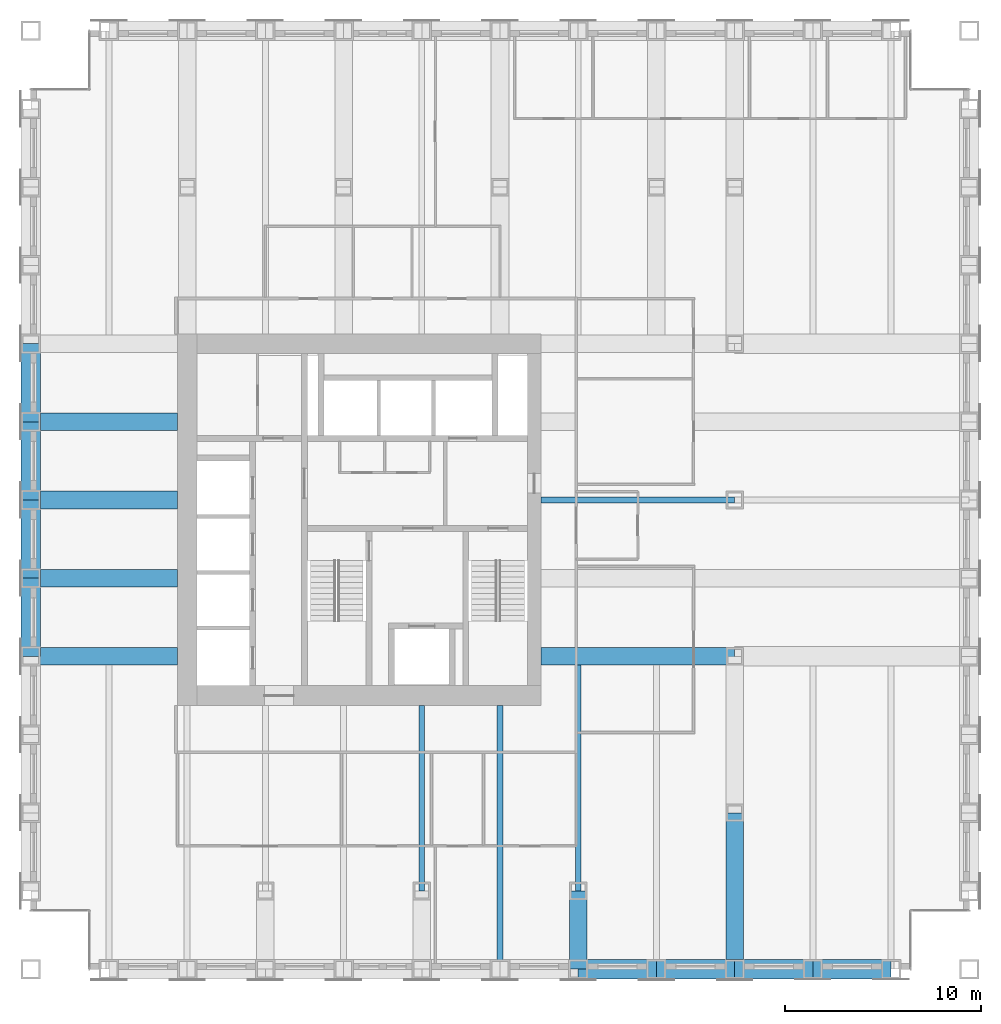
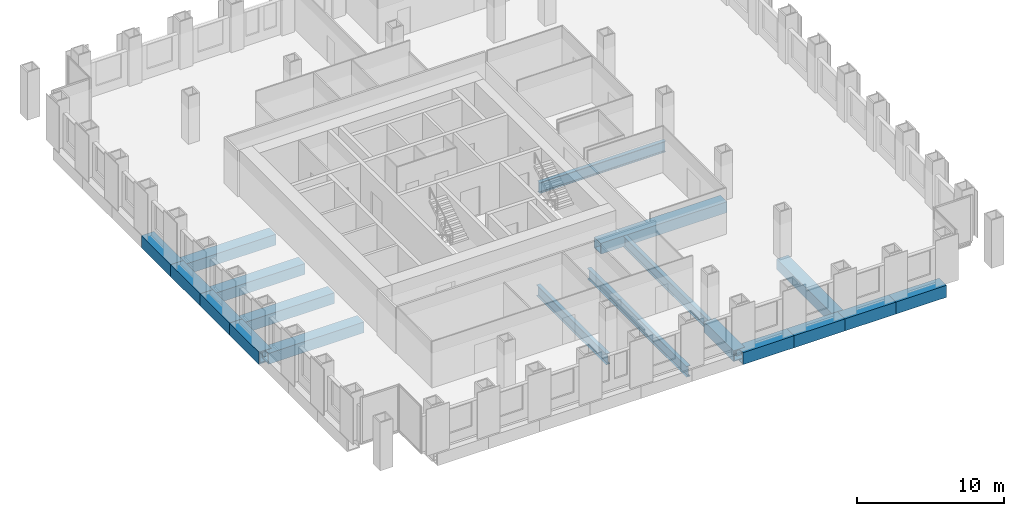
# One storey, part 3 of 15: 19 beams.
"""IFC4 building model written with IfcOpenShell, lengths in metres."""

from ifc_helpers import new_model, si_unit, direction, frame, origin, origin_2d, place, context, subcontext, project, spatial, hollow_rectangle, i_section, extrude, material, material_profile, profile_set, type_object, element, save


model = new_model("IFC4")

# Units and contexts
model_context = context("Model", 3, precision=1e-05, world=origin(), true_north=direction((0.0, 1.0)))
body_context = subcontext(model_context, "Body", "Model", "MODEL_VIEW")
ifc_project = project(units=[si_unit("LENGTHUNIT", "METRE"), si_unit("AREAUNIT", "SQUARE_METRE"), si_unit("VOLUMEUNIT", "CUBIC_METRE"), si_unit("PLANEANGLEUNIT", "RADIAN"), si_unit("MASSUNIT", "GRAM", prefix="KILO")], contexts=[model_context])

# Site, building, storey
site_placement = place(None, origin())
site = spatial("IfcSite", under=ifc_project, at=site_placement, CompositionType="ELEMENT")
building_placement = place(site_placement, origin())
building = spatial("IfcBuilding", under=site, at=building_placement, Name="Rimbunsela Tower", CompositionType="ELEMENT")
storey_placement = place(building_placement, frame((0.0, 0.0, 117.39990234375)))
storey = spatial("IfcBuildingStorey", under=building, at=storey_placement, Name="L28", CompositionType="ELEMENT", Elevation=117.39990234375)

# Beams
ifc_material_1 = material(Name="Steel BJ 55 (fy 410 MPa)", Category="steel")
ifc_material_profile_1 = material_profile(ifc_material_1, hollow_rectangle(XDim=1.0, YDim=1.0, WallThickness=0.10009765625, at=origin_2d()), Name="BOX 1000x1000x100")
ifc_profile_set_1 = profile_set([ifc_material_profile_1], Name="Steel BJ 55 (fy 410 MPa)")
beam_type_1 = type_object("IfcBeamType", Name="Beam BOX 1000x1000x100", PredefinedType="BEAM", material=ifc_profile_set_1)
for number, where, z_axis, x_axis, name in (
    (1, (10.0, 20.0, -0.64990234375), (0.0, 1.0, 0.0), (-1.0, 0.0, 0.0), "Beam B3 L28"),
    (2, (10.0, 24.0, -0.64990234375), (0.0, 1.0, 0.0), (-1.0, 0.0, 0.0), "Beam B3 L28"),
    (3, (10.0, 28.0, -0.64990234375), (0.0, 1.0, 0.0), (-1.0, 0.0, 0.0), "Beam B3 L28"),
    (4, (10.0, 32.0, -0.64990234375), (0.0, 1.0, 0.0), (-1.0, 0.0, 0.0), "Beam B3 L28"),
    (5, (38.0, 4.0, -0.64990234375), (1.0, 0.0, 0.0), (0.0, 1.0, 0.0), "Beam B3 L28"),
    (6, (42.0, 4.0, -0.64990234375), (1.0, 0.0, 0.0), (0.0, 1.0, 0.0), "Beam B3 L28"),
    (7, (46.0, 4.0, -0.64990234375), (1.0, 0.0, 0.0), (0.0, 1.0, 0.0), "Beam B3 L28"),
    (8, (50.0, 4.0, -0.64990234375), (1.0, 0.0, 0.0), (0.0, 1.0, 0.0), "Beam B3 L28"),
):
    element("IfcBeam", number, at=place(storey_placement, frame(where, z_axis=z_axis, x_axis=x_axis)), inside=storey, type_object=beam_type_1, Name=name, PredefinedType="BEAM", context=body_context, shape_type="SweptSolid", body=[
        extrude(hollow_rectangle(XDim=1.0, YDim=1.0, WallThickness=0.10009765625, at=origin_2d()), origin(), (0.0, 0.0, 1.0), 4.0),
    ])
ifc_material_2 = material(Name="Steel BJ 55 (fy 410 MPa)", Category="steel")
ifc_material_profile_2 = material_profile(ifc_material_2, hollow_rectangle(XDim=0.89990234375, YDim=0.89990234375, WallThickness=0.06005859375, at=origin_2d()), Name="BOX 900x900x60")
ifc_profile_set_2 = profile_set([ifc_material_profile_2], Name="Steel BJ 55 (fy 410 MPa)")
beam_type_2 = type_object("IfcBeamType", Name="Beam BOX 900x900x60", PredefinedType="BEAM", material=ifc_profile_set_2)
for number, where, z_axis, x_axis, name in (
    (9, (10.0, 20.0, -0.599853515625), (1.0, 0.0, 0.0), (0.0, 1.0, 0.0), "Beam B1 L28"),
    (10, (10.0, 24.0, -0.599853515625), (1.0, 0.0, 0.0), (0.0, 1.0, 0.0), "Beam B1 L28"),
    (11, (10.0, 28.0, -0.599853515625), (1.0, 0.0, 0.0), (0.0, 1.0, 0.0), "Beam B1 L28"),
    (12, (10.0, 32.0, -0.599853515625), (1.0, 0.0, 0.0), (0.0, 1.0, 0.0), "Beam B1 L28"),
):
    element("IfcBeam", number, at=place(storey_placement, frame(where, z_axis=z_axis, x_axis=x_axis)), inside=storey, type_object=beam_type_2, Name=name, PredefinedType="BEAM", context=body_context, shape_type="SweptSolid", body=[
        extrude(hollow_rectangle(XDim=0.89990234375, YDim=0.89990234375, WallThickness=0.06005859375, at=origin_2d()), origin(), (0.0, 0.0, 1.0), 7.5),
    ])
beam_1_placement = place(storey_placement, frame((36.10009765625, 20.0, -0.599853515625), z_axis=(1.0, 0.0, 0.0), x_axis=(0.0, 1.0, 0.0)))
element("IfcBeam", 13, at=beam_1_placement, inside=storey, type_object=beam_type_2, Name="Beam B1 L28", PredefinedType="BEAM", context=body_context, shape_type="SweptSolid", body=[
    extrude(hollow_rectangle(XDim=0.89990234375, YDim=0.89990234375, WallThickness=0.06005859375, at=origin_2d()), origin(), (0.0, 0.0, 1.0), 9.89990234375),
])
beam_2_placement = place(storey_placement, frame((38.0, 4.0, -0.599853515625), z_axis=(0.0, 1.0, 0.0), x_axis=(-1.0, 0.0, 0.0)))
element("IfcBeam", 14, at=beam_2_placement, inside=storey, type_object=beam_type_2, Name="Beam B1 L28", PredefinedType="BEAM", context=body_context, shape_type="SweptSolid", body=[
    extrude(hollow_rectangle(XDim=0.89990234375, YDim=0.89990234375, WallThickness=0.06005859375, at=origin_2d()), origin(), (0.0, 0.0, 1.0), 4.0),
])
beam_3_placement = place(storey_placement, frame((46.0, 4.0, -0.599853515625), z_axis=(0.0, 1.0, 0.0), x_axis=(-1.0, 0.0, 0.0)))
element("IfcBeam", 15, at=beam_3_placement, inside=storey, type_object=beam_type_2, Name="Beam B1 L28", PredefinedType="BEAM", context=body_context, shape_type="SweptSolid", body=[
    extrude(hollow_rectangle(XDim=0.89990234375, YDim=0.89990234375, WallThickness=0.06005859375, at=origin_2d()), origin(), (0.0, 0.0, 1.0), 8.0),
])
ifc_material_3 = material(Name="Steel BJ 55 (fy 410 MPa)", Category="steel")
ifc_material_profile_3 = material_profile(ifc_material_3, i_section(OverallWidth=0.300048828125, OverallDepth=0.89990234375, WebThickness=0.01611328125, FlangeThickness=0.028076171875, FilletRadius=0.028076171875, at=origin_2d()), Name="H 900x300x16x28")
ifc_profile_set_3 = profile_set([ifc_material_profile_3], Name="Steel BJ 55 (fy 410 MPa)")
beam_type_3 = type_object("IfcBeamType", Name="Beam H 900x300x16x28", PredefinedType="BEAM", material=ifc_profile_set_3)
beam_4_placement = place(storey_placement, frame((30.0, 8.0, -0.599853515625), z_axis=(0.0, 1.0, 0.0), x_axis=(-1.0, 0.0, 0.0)))
element("IfcBeam", 16, at=beam_4_placement, inside=storey, type_object=beam_type_3, Name="Beam B2 L28", PredefinedType="BEAM", context=body_context, shape_type="SweptSolid", body=[
    extrude(i_section(OverallWidth=0.300048828125, OverallDepth=0.89990234375, WebThickness=0.01611328125, FlangeThickness=0.028076171875, FilletRadius=0.028076171875, at=origin_2d()), origin(), (0.0, 0.0, 1.0), 9.5),
])
beam_5_placement = place(storey_placement, frame((34.0, 4.0, -0.599853515625), z_axis=(0.0, 1.0, 0.0), x_axis=(-1.0, 0.0, 0.0)))
element("IfcBeam", 17, at=beam_5_placement, inside=storey, type_object=beam_type_3, Name="Beam B2 L28", PredefinedType="BEAM", context=body_context, shape_type="SweptSolid", body=[
    extrude(i_section(OverallWidth=0.300048828125, OverallDepth=0.89990234375, WebThickness=0.01611328125, FlangeThickness=0.028076171875, FilletRadius=0.028076171875, at=origin_2d()), origin(), (0.0, 0.0, 1.0), 13.5),
])
beam_6_placement = place(storey_placement, frame((36.10009765625, 28.0, -0.599853515625), z_axis=(1.0, 0.0, 0.0), x_axis=(0.0, 1.0, 0.0)))
element("IfcBeam", 18, at=beam_6_placement, inside=storey, type_object=beam_type_3, Name="Beam B2 L28", PredefinedType="BEAM", context=body_context, shape_type="SweptSolid", body=[
    extrude(i_section(OverallWidth=0.300048828125, OverallDepth=0.89990234375, WebThickness=0.01611328125, FlangeThickness=0.028076171875, FilletRadius=0.028076171875, at=origin_2d()), origin(), (0.0, 0.0, 1.0), 9.89990234375),
])
beam_7_placement = place(storey_placement, frame((38.0, 8.0, -0.599853515625), z_axis=(0.0, 1.0, 0.0), x_axis=(-1.0, 0.0, 0.0)))
element("IfcBeam", 19, at=beam_7_placement, inside=storey, type_object=beam_type_3, Name="Beam B2 L28", PredefinedType="BEAM", context=body_context, shape_type="SweptSolid", body=[
    extrude(i_section(OverallWidth=0.300048828125, OverallDepth=0.89990234375, WebThickness=0.01611328125, FlangeThickness=0.028076171875, FilletRadius=0.028076171875, at=origin_2d()), origin(), (0.0, 0.0, 1.0), 11.550048828125),
])

save(model, "model.ifc")
